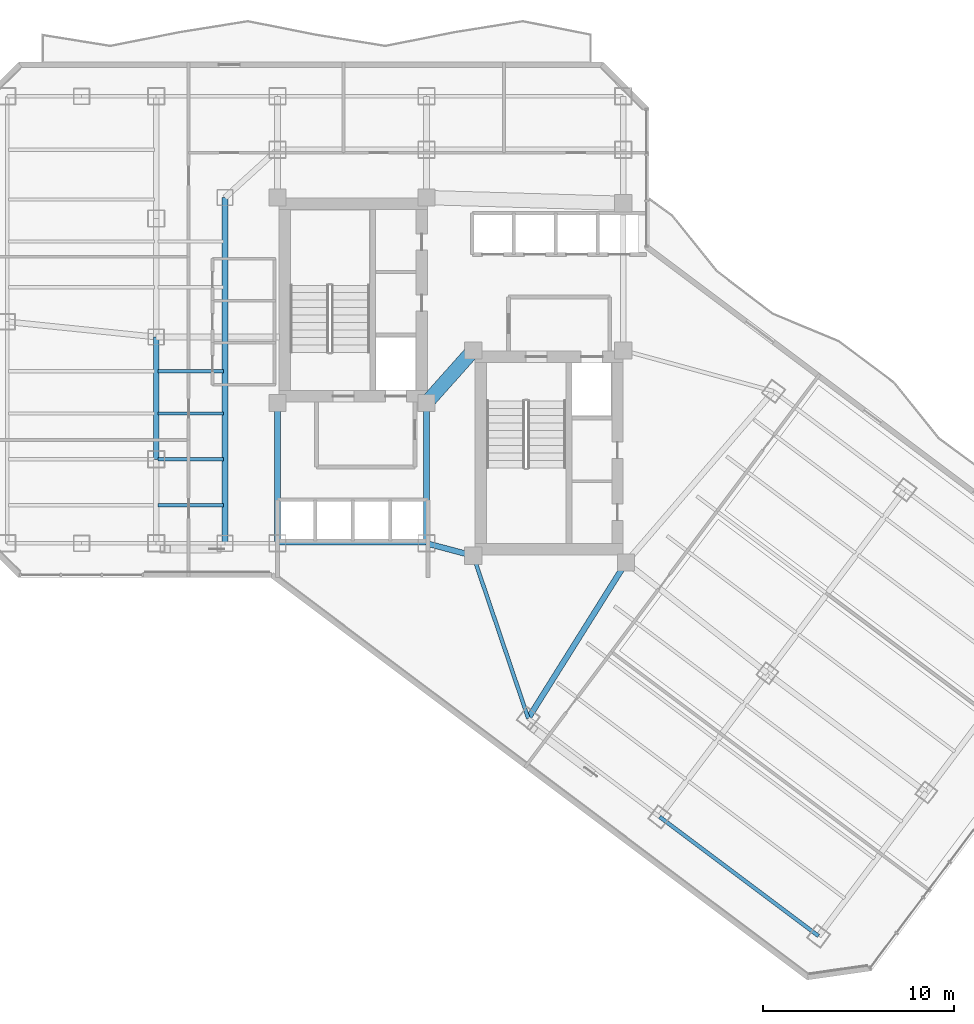
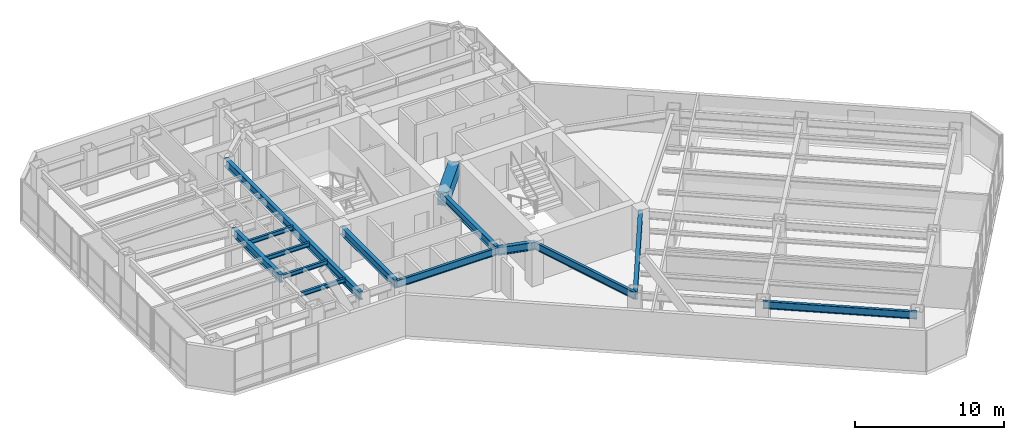
# One storey, part 5 of 30: 14 beams.
"""IFC4 building model written with IfcOpenShell, lengths in metres."""

import ifcopenshell
import ifcopenshell.guid

model = None  # the IFC model being written
_history = None  # IfcOwnerHistory: only IFC2X3 demands one
_inside = {}  # id of a spatial element -> (the spatial element, [elements in it])
_under = {}  # id of a project, library or spatial element -> (it, [spatial elements below it])
_declared = {}  # id of a project -> (the project, [libraries it declares])
_typed = {}  # id of a type object -> (the type object, [elements of that type])
_made_of = {}  # id of a material, layer set ... -> (it, [elements and type objects made of it])


def new_model(schema):
    """Start an empty IFC model of exactly this schema.

    Asked for "IFC4X3", IfcOpenShell would pick the latest addendum, in which some entities
    have other attributes; the version numbers below select the first issue.
    IFC2X3 requires an IfcOwnerHistory on every rooted entity: one is made here for all.
    """
    global model, _history
    if schema == "IFC4X3":
        model = ifcopenshell.file(schema_version=(4, 3, 0, 0))
    else:
        model = ifcopenshell.file(schema=schema)
    _inside.clear()
    _under.clear()
    _declared.clear()
    _typed.clear()
    _made_of.clear()
    _history = None
    if model.schema == "IFC2X3":
        org = make("IfcOrganization", Name="unknown")
        user = make(
            "IfcPersonAndOrganization",
            ThePerson=make("IfcPerson", FamilyName="unknown"),
            TheOrganization=org,
        )
        app = make(
            "IfcApplication",
            ApplicationDeveloper=org,
            Version="unknown",
            ApplicationFullName="unknown",
            ApplicationIdentifier="unknown",
        )
        _history = make(
            "IfcOwnerHistory",
            OwningUser=user,
            OwningApplication=app,
            ChangeAction="ADDED",
            CreationDate=0,
        )
    return model


def make(cls, **values):
    """One entity of the class cls with the attributes given. An attribute that is None is left unset."""
    return model.create_entity(
        cls, **{name: value for name, value in values.items() if value is not None}
    )


def rooted(cls, **values):
    """An entity with a GlobalId (a new one), such as an element, a storey or a relation."""
    return make(cls, GlobalId=ifcopenshell.guid.new(), OwnerHistory=_history, **values)


def si_unit(unit_type, name, prefix=None):
    """IfcSIUnit, for example si_unit("LENGTHUNIT", "METRE", prefix="MILLI")."""
    return make("IfcSIUnit", UnitType=unit_type, Prefix=prefix, Name=name)


def assignment(units):
    """IfcUnitAssignment: the units of a project."""
    return None if units is None else make("IfcUnitAssignment", Units=units)


def point(xyz):
    """IfcCartesianPoint."""
    return None if xyz is None else make("IfcCartesianPoint", Coordinates=xyz)


def direction(xyz):
    """IfcDirection."""
    return None if xyz is None else make("IfcDirection", DirectionRatios=xyz)


def frame(location, z_axis=None, x_axis=None):
    """IfcAxis2Placement3D, a coordinate frame: its origin and axes. An axis left out is left unset."""
    return make(
        "IfcAxis2Placement3D",
        Location=point(location),
        Axis=direction(z_axis),
        RefDirection=direction(x_axis),
    )


def frame_2d(location, x_axis=None):
    """IfcAxis2Placement2D, a coordinate frame in the plane: its origin and x axis."""
    return make(
        "IfcAxis2Placement2D", Location=point(location), RefDirection=direction(x_axis)
    )


def origin():
    """The frame at (0, 0, 0) with its axes left unset."""
    return frame((0.0, 0.0, 0.0))


def origin_2d():
    """The frame at (0, 0) in the plane with its x axis left unset."""
    return frame_2d((0.0, 0.0))


def place(relative_to, where):
    """IfcLocalPlacement: puts the frame where relative to a parent placement (None: the world)."""
    return make(
        "IfcLocalPlacement", PlacementRelTo=relative_to, RelativePlacement=where
    )


def context(
    kind, dimensions, precision=None, world=None, true_north=None, identifier=None
):
    """IfcGeometricRepresentationContext, for example the 3D "Model" context."""
    return make(
        "IfcGeometricRepresentationContext",
        ContextIdentifier=identifier,
        ContextType=kind,
        CoordinateSpaceDimension=dimensions,
        Precision=precision,
        WorldCoordinateSystem=world,
        TrueNorth=true_north,
    )


def subcontext(parent, identifier, kind, view, scale=None):
    """IfcGeometricRepresentationSubContext, for example "Body" below "Model"."""
    return make(
        "IfcGeometricRepresentationSubContext",
        ContextIdentifier=identifier,
        ContextType=kind,
        ParentContext=parent,
        TargetScale=scale,
        TargetView=view,
    )


def project(units=None, contexts=None):
    """IfcProject with its units and contexts."""
    return rooted(
        "IfcProject",
        Name="project",
        RepresentationContexts=contexts,
        UnitsInContext=assignment(units),
    )


def spatial(cls, under=None, at=None, **own):
    """A site, building, storey or space (cls), placed at a placement, below another one or the project."""
    s = rooted(cls, ObjectPlacement=at, **own)
    if under is not None:
        _under.setdefault(under.id(), (under, []))[1].append(s)
    return s


def profile(cls, at=None, kind="AREA", **sizes):
    """A parametric profile (cls). Its sizes go by their IFC names, for example OverallWidth=200.0."""
    return make(cls, ProfileType=kind, Position=at, **sizes)


def rectangle(**sizes):
    """IfcRectangleProfileDef."""
    return profile("IfcRectangleProfileDef", **sizes)


def i_section(**sizes):
    """IfcIShapeProfileDef."""
    return profile("IfcIShapeProfileDef", **sizes)


def extrude(swept, where, along, depth):
    """IfcExtrudedAreaSolid: the profile swept, set in the frame where, extruded along a direction by depth."""
    return make(
        "IfcExtrudedAreaSolid",
        SweptArea=swept,
        Position=where,
        ExtrudedDirection=direction(along),
        Depth=depth,
    )


def shape(context_of_items, identifier, shape_type, items):
    """IfcShapeRepresentation: the items that make up one representation, for example the "Body"."""
    return make(
        "IfcShapeRepresentation",
        ContextOfItems=context_of_items,
        RepresentationIdentifier=identifier,
        RepresentationType=shape_type,
        Items=items,
    )


def material(Name=None, Category=None):
    """IfcMaterial."""
    return make("IfcMaterial", Name=Name, Category=Category)


def material_profile(
    of_material, cross_section, Name=None, Category=None, Priority=None
):
    """IfcMaterialProfile: a cross section and its material."""
    return make(
        "IfcMaterialProfile",
        Name=Name,
        Material=of_material,
        Profile=cross_section,
        Priority=Priority,
        Category=Category,
    )


def profile_set(profiles, Name=None, composite=None):
    """IfcMaterialProfileSet."""
    return make(
        "IfcMaterialProfileSet",
        Name=Name,
        MaterialProfiles=profiles,
        CompositeProfile=composite,
    )


def made_of(thing, what):
    """Note that an element or type object is made of a material, layer set ...; save() writes the relation."""
    if what is not None:
        _made_of.setdefault(what.id(), (what, []))[1].append(thing)
    return thing


def type_object(cls, material=None, **own):
    """A type object (cls), such as IfcWallType, which elements share."""
    return made_of(rooted(cls, **own), material)


def element(
    cls,
    number,
    at=None,
    inside=None,
    cuts=None,
    type_object=None,
    material=None,
    context=None,
    identifier="Body",
    shape_type=None,
    held_by="IfcProductDefinitionShape",
    body=None,
    shapes=None,
    **own,
):
    """One element of the class cls, such as IfcWall. Its Tag is "e" and its number.

    at: its placement. inside: the storey or other place that contains it. cuts: it is an
    opening in that element (IfcRelVoidsElement). A single representation is given by context,
    identifier, shape_type and body (its items); several are given by shapes. held_by: the class
    of the entity that holds the representations. save() writes the other relations.
    """
    e = rooted(cls, Tag="e%d" % number, ObjectPlacement=at, **own)
    if body is not None:
        shapes = [shape(context, identifier, shape_type, body)]
    if shapes is not None:
        e.Representation = make(held_by, Representations=shapes)
    if inside is not None:
        _inside.setdefault(inside.id(), (inside, []))[1].append(e)
    if cuts is not None:
        rooted(
            "IfcRelVoidsElement", RelatingBuildingElement=cuts, RelatedOpeningElement=e
        )
    if type_object is not None:
        _typed.setdefault(type_object.id(), (type_object, []))[1].append(e)
    return made_of(e, material)


def aggregate(whole, parts):
    """IfcRelAggregates: a whole, such as a stair, and the parts it consists of."""
    return rooted("IfcRelAggregates", RelatingObject=whole, RelatedObjects=parts)


def save(model, path):
    """Write the relations noted so far, then the file.

    IfcRelAggregates (storeys below a building ...), IfcRelContainedInSpatialStructure (elements
    in a storey), IfcRelDefinesByType, IfcRelAssociatesMaterial and IfcRelDeclares: one each for
    every whole, place, type object, material and project.
    """
    for whole, parts in _under.values():
        aggregate(whole, parts)
    for where, things in _inside.values():
        rooted(
            "IfcRelContainedInSpatialStructure",
            RelatedElements=things,
            RelatingStructure=where,
        )
    for kind, things in _typed.values():
        rooted("IfcRelDefinesByType", RelatedObjects=things, RelatingType=kind)
    for what, things in _made_of.values():
        rooted("IfcRelAssociatesMaterial", RelatedObjects=things, RelatingMaterial=what)
    for by, libraries in _declared.values():
        rooted("IfcRelDeclares", RelatingContext=by, RelatedDefinitions=libraries)
    model.write(path)


model = new_model("IFC4")

# Units and contexts
model_context = context("Model", 3, precision=1e-05, world=origin(), true_north=direction((0.0, 1.0)))
body_context = subcontext(model_context, "Body", "Model", "MODEL_VIEW")
ifc_project = project(units=[si_unit("LENGTHUNIT", "METRE"), si_unit("AREAUNIT", "SQUARE_METRE"), si_unit("VOLUMEUNIT", "CUBIC_METRE"), si_unit("PLANEANGLEUNIT", "RADIAN"), si_unit("MASSUNIT", "GRAM", prefix="KILO")], contexts=[model_context])

# Site, building, storey
site_placement = place(None, origin())
site = spatial("IfcSite", under=ifc_project, at=site_placement, CompositionType="ELEMENT")
building_placement = place(site_placement, origin())
building = spatial("IfcBuilding", under=site, at=building_placement, Name="Hatsunagi Terrace Concourse", CompositionType="ELEMENT")
storey_placement = place(building_placement, frame((0.0, 0.0, 101.25)))
storey = spatial("IfcBuildingStorey", under=building, at=storey_placement, Name="L26", CompositionType="ELEMENT", Elevation=101.25)

# Beams
ifc_material_1 = material(Name="Concrete Fc48", Category="concrete")
ifc_material_profile_1 = material_profile(ifc_material_1, rectangle(XDim=0.75, YDim=1.10009765625, at=origin_2d()), Name="RC-750x1100")
ifc_profile_set_1 = profile_set([ifc_material_profile_1], Name="Concrete Fc48")
beam_type_1 = type_object("IfcBeamType", Name="CoreCouplingBeam_RC_750x1100", PredefinedType="BEAM", material=ifc_profile_set_1)
beam_1_placement = place(storey_placement, frame((33.35009765625, 32.550048828125, 2.800048828125), z_axis=(0.665198651008, 0.746666427997, 0.0), x_axis=(-0.746666427997, 0.665198651008, 0.0)))
element("IfcBeam", 1, at=beam_1_placement, inside=storey, type_object=beam_type_1, Name="Beam CB-02 CB-L26-1", PredefinedType="BEAM", context=body_context, shape_type="SweptSolid", body=[
    extrude(rectangle(XDim=0.75, YDim=1.10009765625, at=origin_2d()), origin(), (0.0, 0.0, 1.0), 3.68310546875),
])
ifc_material_2 = material(Name="Steel SN490B", Category="steel")
ifc_material_profile_2 = material_profile(ifc_material_2, i_section(OverallWidth=0.175048828125, OverallDepth=0.35009765625, WebThickness=0.007080078125, FlangeThickness=0.010986328125, FilletRadius=0.012939453125, at=origin_2d()), Name="H-350x175x7x11")
ifc_profile_set_2 = profile_set([ifc_material_profile_2], Name="Steel SN490B")
beam_type_2 = type_object("IfcBeamType", Name="HotelJoist_H_350x175", PredefinedType="JOIST", material=ifc_profile_set_2)
for number, where, z_axis, x_axis, name in (
    (2, (19.284912109375, 27.199951171875, 3.175048828125), (1.0, 0.0, 0.0), (0.0, 1.0, 0.0), "Beam J-02 J-L26-W-19-272"),
    (3, (19.284912109375, 29.60009765625, 3.175048828125), (1.0, 0.0, 0.0), (0.0, 1.0, 0.0), "Beam J-02 J-L26-W-19-296"),
    (4, (19.284912109375, 32.0, 3.175048828125), (1.0, 0.0, 0.0), (0.0, 1.0, 0.0), "Beam J-02 J-L26-W-19-320"),
    (5, (19.284912109375, 34.199951171875, 3.175048828125), (1.0, 0.0, 0.0), (0.0, 1.0, 0.0), "Beam J-02 J-L26-W-19-342"),
):
    element("IfcBeam", number, at=place(storey_placement, frame(where, z_axis=z_axis, x_axis=x_axis)), inside=storey, type_object=beam_type_2, Name=name, PredefinedType="JOIST", context=body_context, shape_type="SweptSolid", body=[
        extrude(i_section(OverallWidth=0.175048828125, OverallDepth=0.35009765625, WebThickness=0.007080078125, FlangeThickness=0.010986328125, FilletRadius=0.012939453125, at=origin_2d()), origin(), (0.0, 0.0, 1.0), 3.43017578125),
    ])
ifc_material_3 = material(Name="Steel SN490B", Category="steel")
ifc_material_profile_3 = material_profile(ifc_material_3, i_section(OverallWidth=0.300048828125, OverallDepth=0.64990234375, WebThickness=0.012939453125, FlangeThickness=0.02197265625, FilletRadius=0.01806640625, at=origin_2d()), Name="H-650x300x13x22")
ifc_profile_set_3 = profile_set([ifc_material_profile_3], Name="Steel SN490B")
beam_type_3 = type_object("IfcBeamType", Name="OfficeLowGirder_H_650x300", PredefinedType="BEAM", material=ifc_profile_set_3)
for number, where, z_axis, x_axis, name in (
    (6, (25.550048828125, 25.199951171875, 3.02490234375), (0.0, 1.0, 0.0), (-1.0, 0.0, 0.0), "Beam G-05 BM-L26-K1CA"),
    (7, (33.35009765625, 25.199951171875, 3.02490234375), (0.0, 1.0, 0.0), (-1.0, 0.0, 0.0), "Beam G-05 BM-L26-K2CA"),
):
    element("IfcBeam", number, at=place(storey_placement, frame(where, z_axis=z_axis, x_axis=x_axis)), inside=storey, type_object=beam_type_3, Name=name, PredefinedType="BEAM", context=body_context, shape_type="SweptSolid", body=[
        extrude(i_section(OverallWidth=0.300048828125, OverallDepth=0.64990234375, WebThickness=0.012939453125, FlangeThickness=0.02197265625, FilletRadius=0.01806640625, at=origin_2d()), origin(), (0.0, 0.0, 1.0), 7.35009765625),
    ])
beam_2_placement = place(storey_placement, frame((33.35009765625, 25.199951171875, 3.02490234375), z_axis=(0.966569840116, -0.256403479262, 0.0), x_axis=(0.256403479262, 0.966569840116, 0.0)))
element("IfcBeam", 8, at=beam_2_placement, inside=storey, type_object=beam_type_3, Name="Beam G-05 BM-L26-K2CB", PredefinedType="BEAM", context=body_context, shape_type="SweptSolid", body=[
    extrude(i_section(OverallWidth=0.300048828125, OverallDepth=0.64990234375, WebThickness=0.012939453125, FlangeThickness=0.02197265625, FilletRadius=0.01806640625, at=origin_2d()), origin(), (0.0, 0.0, 1.0), 2.53466796875),
])
beam_3_placement = place(storey_placement, frame((22.800048828125, 25.199951171875, 3.02490234375), z_axis=(0.0, 1.0, 0.0), x_axis=(-1.0, 0.0, 0.0)))
element("IfcBeam", 9, at=beam_3_placement, inside=storey, type_object=beam_type_3, Name="Beam G-05 BM-L26-CWNS", PredefinedType="BEAM", context=body_context, shape_type="SweptSolid", body=[
    extrude(i_section(OverallWidth=0.300048828125, OverallDepth=0.64990234375, WebThickness=0.012939453125, FlangeThickness=0.02197265625, FilletRadius=0.01806640625, at=origin_2d()), origin(), (0.0, 0.0, 1.0), 18.10009765625),
])
beam_4_placement = place(storey_placement, frame((19.199951171875, 29.60009765625, 3.02490234375), z_axis=(0.0, 1.0, 0.0), x_axis=(-1.0, 0.0, 0.0)))
element("IfcBeam", 10, at=beam_4_placement, inside=storey, type_object=beam_type_3, Name="Beam G-05 BM-L26-NS-19-29", PredefinedType="BEAM", context=body_context, shape_type="SweptSolid", body=[
    extrude(i_section(OverallWidth=0.300048828125, OverallDepth=0.64990234375, WebThickness=0.012939453125, FlangeThickness=0.02197265625, FilletRadius=0.01806640625, at=origin_2d()), origin(), (0.0, 0.0, 1.0), 6.39990234375),
])
beam_5_placement = place(storey_placement, frame((38.679931640625, 16.0400390625, 3.02490234375), z_axis=(0.531503907049, 0.847055840421, 0.0), x_axis=(-0.847055840421, 0.531503907049, 0.0)))
element("IfcBeam", 11, at=beam_5_placement, inside=storey, type_object=beam_type_3, Name="Beam G-05 BM-L26-SET-1A", PredefinedType="BEAM", context=body_context, shape_type="SweptSolid", body=[
    extrude(i_section(OverallWidth=0.300048828125, OverallDepth=0.64990234375, WebThickness=0.012939453125, FlangeThickness=0.02197265625, FilletRadius=0.01806640625, at=origin_2d()), origin(), (0.0, 0.0, 1.0), 9.63330078125),
])
ifc_material_4 = material(Name="Steel SN490B", Category="steel")
ifc_material_profile_4 = material_profile(ifc_material_4, i_section(OverallWidth=0.199951171875, OverallDepth=0.60009765625, WebThickness=0.010986328125, FlangeThickness=0.01708984375, FilletRadius=0.01806640625, at=origin_2d()), Name="H-600x200x11x17")
ifc_profile_set_4 = profile_set([ifc_material_profile_4], Name="Steel SN490B")
beam_type_4 = type_object("IfcBeamType", Name="PerimeterSpandrel_H_600x200", PredefinedType="SPANDREL", material=ifc_profile_set_4)
beam_6_placement = place(storey_placement, frame((25.550048828125, 25.199951171875, 3.050048828125), z_axis=(1.0, 0.0, 0.0), x_axis=(0.0, 1.0, 0.0)))
element("IfcBeam", 12, at=beam_6_placement, inside=storey, type_object=beam_type_4, Name="Beam SP-01 BM-L26-WS-25", PredefinedType="SPANDREL", context=body_context, shape_type="SweptSolid", body=[
    extrude(i_section(OverallWidth=0.199951171875, OverallDepth=0.60009765625, WebThickness=0.010986328125, FlangeThickness=0.01708984375, FilletRadius=0.01806640625, at=origin_2d()), origin(), (0.0, 0.0, 1.0), 7.800048828125),
])
beam_7_placement = place(storey_placement, frame((35.800048828125, 24.550048828125, 3.050048828125), z_axis=(0.320553412271, -0.947230441805, 0.0), x_axis=(0.947230441805, 0.320553412271, 0.0)))
element("IfcBeam", 13, at=beam_7_placement, inside=storey, type_object=beam_type_4, Name="Beam SP-01 BM-L26-SE-SW0", PredefinedType="SPANDREL", context=body_context, shape_type="SweptSolid", body=[
    extrude(i_section(OverallWidth=0.199951171875, OverallDepth=0.60009765625, WebThickness=0.010986328125, FlangeThickness=0.01708984375, FilletRadius=0.01806640625, at=origin_2d()), origin(), (0.0, 0.0, 1.0), 8.984130859375),
])
beam_8_placement = place(storey_placement, frame((45.56005859375, 10.8798828125, 3.050048828125), z_axis=(0.799994365871, -0.600007512099, 0.0), x_axis=(0.600007512099, 0.799994365871, 0.0)))
element("IfcBeam", 14, at=beam_8_placement, inside=storey, type_object=beam_type_4, Name="Beam SP-01 BM-L26-SE-SW3", PredefinedType="SPANDREL", context=body_context, shape_type="SweptSolid", body=[
    extrude(i_section(OverallWidth=0.199951171875, OverallDepth=0.60009765625, WebThickness=0.010986328125, FlangeThickness=0.01708984375, FilletRadius=0.01806640625, at=origin_2d()), origin(), (0.0, 0.0, 1.0), 10.39990234375),
])

save(model, "model.ifc")
